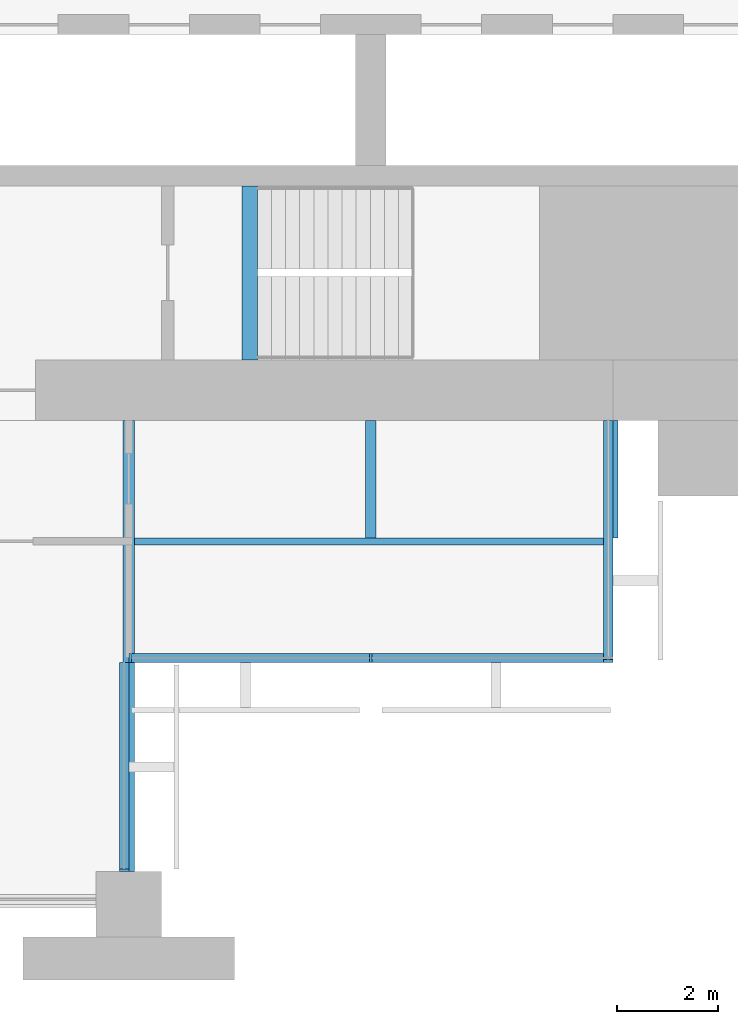
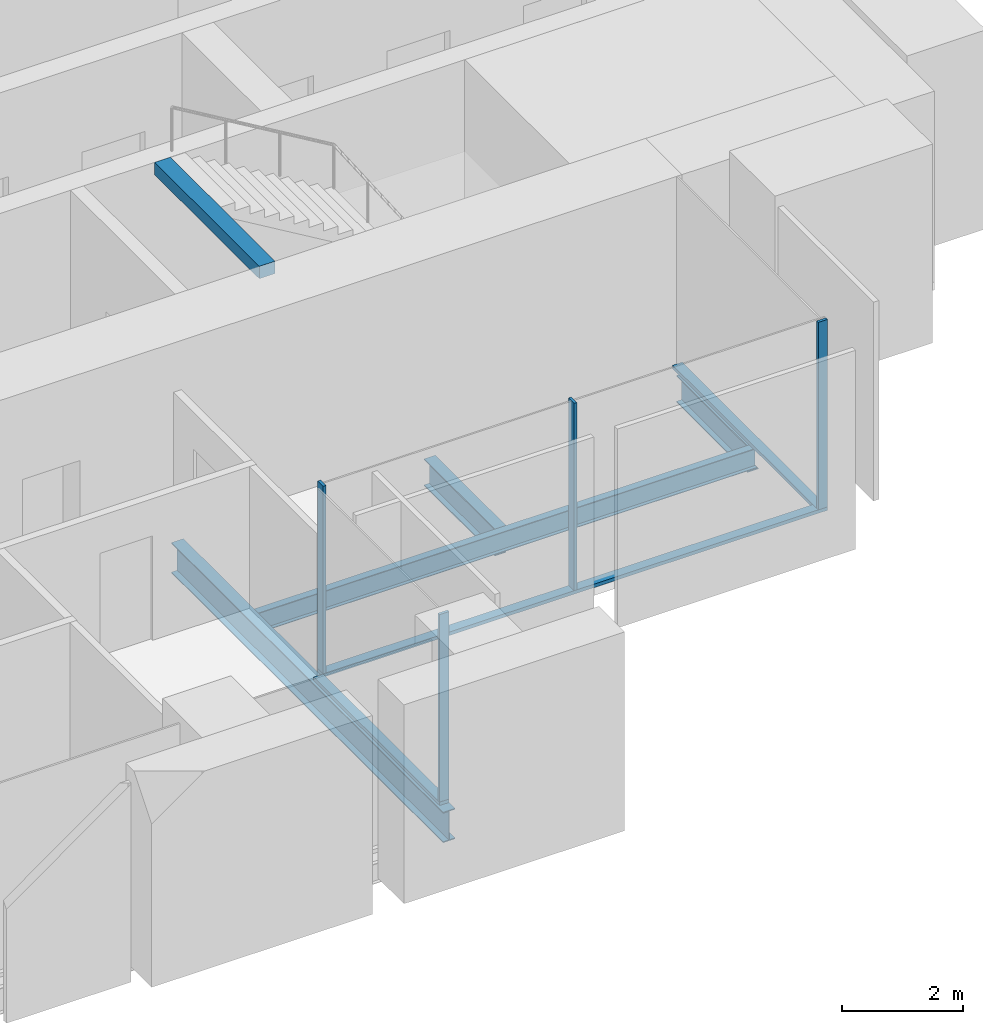
# One storey, part 4 of 14: 7 members, 5 beams, 3 elements without a shape of their own.
"""IFC4 building model written with IfcOpenShell, lengths in metres."""

from ifc_helpers import new_model, si_unit, direction, frame, origin, origin_2d, place, context, subcontext, project, spatial, rectangle, i_section, extrude, material, material_profile, profile_set, type_object, element, aggregate, save


model = new_model("IFC4")

# Units and contexts
model_context = context("Model", 3, precision=1e-05, world=origin(), true_north=direction((0.0, 1.0)))
body_context = subcontext(model_context, "Body", "Model", "MODEL_VIEW")
ifc_project = project(units=[si_unit("LENGTHUNIT", "METRE"), si_unit("AREAUNIT", "SQUARE_METRE"), si_unit("VOLUMEUNIT", "CUBIC_METRE"), si_unit("PLANEANGLEUNIT", "RADIAN"), si_unit("MASSUNIT", "GRAM", prefix="KILO")], contexts=[model_context])

# Site, building, storey
site_placement = place(None, origin())
site = spatial("IfcSite", under=ifc_project, at=site_placement, CompositionType="ELEMENT")
building_placement = place(site_placement, origin())
building = spatial("IfcBuilding", under=site, at=building_placement, Name="Baori Bourse Tower", CompositionType="ELEMENT")
storey_placement = place(building_placement, frame((0.0, 0.0, 67.0)))
storey = spatial("IfcBuildingStorey", under=building, at=storey_placement, Name="L14", CompositionType="ELEMENT", Elevation=67.0)

# Curtain wall, member
ifc_material_1 = material(Name="Pale anodised aluminium", Category="aluminium")
curtain_wall_type = type_object("IfcCurtainWallType", Name="CW2 Curtain wall", PredefinedType="NOTDEFINED", material=ifc_material_1)
curtain_wall_1_placement = place(storey_placement, origin())
curtain_wall_1 = element("IfcCurtainWall", 1, at=curtain_wall_1_placement, inside=storey, type_object=curtain_wall_type, Name="Curtain wall CW2 L14 12", PredefinedType="NOTDEFINED")
ifc_material_2 = material(Name="Pale anodised aluminium", Category="aluminium")
ifc_material_profile_1 = material_profile(ifc_material_2, rectangle(XDim=0.179931640625, YDim=0.054931640625, at=origin_2d()), Name="Mullion 55x180")
ifc_profile_set_1 = profile_set([ifc_material_profile_1], Name="Pale anodised aluminium")
member_type_1 = type_object("IfcMemberType", Name="CW2 Curtain wall mullion", PredefinedType="MULLION", material=ifc_profile_set_1)
member_1_placement = place(storey_placement, frame((43.110107421875, 0.677490234375, 0.070068359375), z_axis=(0.0, 0.0, 1.0), x_axis=(-1.0, 0.0, 0.0)))
member_1 = element("IfcMember", 2, at=member_1_placement, type_object=member_type_1, Name="Curtain wall CW2 mullion", PredefinedType="MULLION", context=body_context, shape_type="SweptSolid", body=[
    extrude(rectangle(XDim=0.179931640625, YDim=0.054931640625, at=origin_2d()), origin(), (0.0, 0.0, 1.0), 3.77001953125),
])

# Curtain wall, members
curtain_wall_2_placement = place(storey_placement, origin())
curtain_wall_2 = element("IfcCurtainWall", 3, at=curtain_wall_2_placement, inside=storey, type_object=curtain_wall_type, Name="Curtain wall CW2 L14 13", PredefinedType="NOTDEFINED")
member_2_placement = place(storey_placement, frame((43.2275390625, 4.889892578125, 0.070068359375), z_axis=(0.0, 0.0, 1.0), x_axis=(0.0, 1.0, 0.0)))
member_2 = element("IfcMember", 4, at=member_2_placement, type_object=member_type_1, Name="Curtain wall CW2 mullion", PredefinedType="MULLION", context=body_context, shape_type="SweptSolid", body=[
    extrude(rectangle(XDim=0.179931640625, YDim=0.054931640625, at=origin_2d()), origin(), (0.0, 0.0, 1.0), 3.77001953125),
])
member_3_placement = place(storey_placement, frame((48.0, 4.889892578125, 0.070068359375), z_axis=(0.0, 0.0, 1.0), x_axis=(0.0, 1.0, 0.0)))
member_3 = element("IfcMember", 5, at=member_3_placement, type_object=member_type_1, Name="Curtain wall CW2 mullion", PredefinedType="MULLION", context=body_context, shape_type="SweptSolid", body=[
    extrude(rectangle(XDim=0.179931640625, YDim=0.054931640625, at=origin_2d()), origin(), (0.0, 0.0, 1.0), 3.77001953125),
])

# Curtain wall, member
curtain_wall_3_placement = place(storey_placement, origin())
curtain_wall_3 = element("IfcCurtainWall", 6, at=curtain_wall_3_placement, inside=storey, type_object=curtain_wall_type, Name="Curtain wall CW2 L14 14", PredefinedType="NOTDEFINED")
member_4_placement = place(storey_placement, frame((52.7099609375, 4.827392578125, 0.070068359375), z_axis=(0.0, 0.0, 1.0), x_axis=(-1.0, 0.0, 0.0)))
member_4 = element("IfcMember", 7, at=member_4_placement, type_object=member_type_1, Name="Curtain wall CW2 mullion", PredefinedType="MULLION", context=body_context, shape_type="SweptSolid", body=[
    extrude(rectangle(XDim=0.179931640625, YDim=0.054931640625, at=origin_2d()), origin(), (0.0, 0.0, 1.0), 3.77001953125),
])

# Member
ifc_material_3 = material(Name="Pale anodised aluminium", Category="aluminium")
ifc_material_profile_2 = material_profile(ifc_material_3, rectangle(XDim=0.179931640625, YDim=0.070068359375, at=origin_2d()), Name="Transom 70x180")
ifc_profile_set_2 = profile_set([ifc_material_profile_2], Name="Pale anodised aluminium")
member_type_2 = type_object("IfcMemberType", Name="CW2 Curtain wall transom", PredefinedType="USERDEFINED", material=ifc_profile_set_2)
member_5_placement = place(storey_placement, frame((43.110107421875, 0.64990234375, 0.034912109375), z_axis=(0.0, 1.0, 0.0), x_axis=(-1.0, 0.0, 0.0)))
member_5 = element("IfcMember", 8, at=member_5_placement, type_object=member_type_2, Name="Curtain wall CW2 sill rail", ObjectType="TRANSOM", PredefinedType="USERDEFINED", context=body_context, shape_type="SweptSolid", body=[
    extrude(rectangle(XDim=0.179931640625, YDim=0.070068359375, at=origin_2d()), origin(), (0.0, 0.0, 1.0), 4.150146484375),
])

aggregate(curtain_wall_1, [member_5, member_1])

member_6_placement = place(storey_placement, frame((43.199951171875, 4.889892578125, 0.034912109375), z_axis=(1.0, 0.0, 0.0), x_axis=(0.0, 1.0, 0.0)))
member_6 = element("IfcMember", 9, at=member_6_placement, type_object=member_type_2, Name="Curtain wall CW2 sill rail", ObjectType="TRANSOM", PredefinedType="USERDEFINED", context=body_context, shape_type="SweptSolid", body=[
    extrude(rectangle(XDim=0.179931640625, YDim=0.070068359375, at=origin_2d()), origin(), (0.0, 0.0, 1.0), 9.60009765625),
])

aggregate(curtain_wall_2, [member_6, member_2, member_3])

member_7_placement = place(storey_placement, frame((52.7099609375, 4.800048828125, 0.034912109375), z_axis=(0.0, 1.0, 0.0), x_axis=(-1.0, 0.0, 0.0)))
member_7 = element("IfcMember", 10, at=member_7_placement, type_object=member_type_2, Name="Curtain wall CW2 sill rail", ObjectType="TRANSOM", PredefinedType="USERDEFINED", context=body_context, shape_type="SweptSolid", body=[
    extrude(rectangle(XDim=0.179931640625, YDim=0.070068359375, at=origin_2d()), origin(), (0.0, 0.0, 1.0), 4.800048828125),
])

aggregate(curtain_wall_3, [member_7, member_4])

# Beams
ifc_material_4 = material(Name="Steel A992 Gr 50", Category="steel")
ifc_material_profile_3 = material_profile(ifc_material_4, i_section(OverallWidth=0.21240234375, OverallDepth=0.54345703125, WebThickness=0.01318359375, FlangeThickness=0.021240234375, at=origin_2d()), Name="W21x83")
ifc_profile_set_3 = profile_set([ifc_material_profile_3], Name="Steel A992 Gr 50")
beam_type_1 = type_object("IfcBeamType", Name="Core bracket W21x83", PredefinedType="BEAM", material=ifc_profile_set_3)
for number, where, z_axis, x_axis, name in (
    (11, (48.0, 7.270263671875, -0.431884765625), (0.0, 1.0, 0.0), (-1.0, 0.0, 0.0), "Core bracket L14"),
    (12, (52.800048828125, 7.270263671875, -0.431884765625), (0.0, 1.0, 0.0), (-1.0, 0.0, 0.0), "Core bracket L14"),
):
    element("IfcBeam", number, at=place(storey_placement, frame(where, z_axis=z_axis, x_axis=x_axis)), inside=storey, type_object=beam_type_1, Name=name, PredefinedType="BEAM", context=body_context, shape_type="SweptSolid", body=[
        extrude(i_section(OverallWidth=0.21240234375, OverallDepth=0.54345703125, WebThickness=0.01318359375, FlangeThickness=0.021240234375, at=origin_2d()), origin(), (0.0, 0.0, 1.0), 2.329833984375),
    ])
ifc_material_5 = material(Name="Steel A992 Gr 50", Category="steel")
ifc_material_profile_4 = material_profile(ifc_material_5, i_section(OverallWidth=0.22900390625, OverallDepth=0.612060546875, WebThickness=0.011962890625, FlangeThickness=0.01953125, at=origin_2d()), Name="W24x84")
ifc_profile_set_4 = profile_set([ifc_material_profile_4], Name="Steel A992 Gr 50")
beam_type_2 = type_object("IfcBeamType", Name="Floor beam W24x84", PredefinedType="BEAM", material=ifc_profile_set_4)
beam_1_placement = place(storey_placement, frame((43.199951171875, 0.64990234375, -0.466064453125), z_axis=(0.0, 1.0, 0.0), x_axis=(-1.0, 0.0, 0.0)))
element("IfcBeam", 13, at=beam_1_placement, inside=storey, type_object=beam_type_2, Name="Floor beam L14", PredefinedType="BEAM", context=body_context, shape_type="SweptSolid", body=[
    extrude(i_section(OverallWidth=0.22900390625, OverallDepth=0.612060546875, WebThickness=0.011962890625, FlangeThickness=0.01953125, at=origin_2d()), origin(), (0.0, 0.0, 1.0), 8.9501953125),
])
ifc_material_6 = material(Name="Concrete f'c 50 MPa", Category="concrete")
ifc_material_profile_5 = material_profile(ifc_material_6, rectangle(XDim=0.300048828125, YDim=0.25, at=origin_2d()), Name="RC 300x250")
ifc_profile_set_5 = profile_set([ifc_material_profile_5], Name="Concrete f'c 50 MPa")
beam_type_3 = type_object("IfcBeamType", Name="Stair nib beam RC 300x250", PredefinedType="BEAM", material=ifc_profile_set_5)
beam_2_placement = place(storey_placement, frame((45.60009765625, 10.800048828125, 3.715087890625), z_axis=(0.0, 1.0, 0.0), x_axis=(-1.0, 0.0, 0.0)))
element("IfcBeam", 14, at=beam_2_placement, inside=storey, type_object=beam_type_3, Name="Stair EA nib beam L15", PredefinedType="BEAM", context=body_context, shape_type="SweptSolid", body=[
    extrude(rectangle(XDim=0.300048828125, YDim=0.25, at=origin_2d()), origin(), (0.0, 0.0, 1.0), 3.449951171875),
])
ifc_material_7 = material(Name="Steel A992 Gr 50", Category="steel")
ifc_material_profile_6 = material_profile(ifc_material_7, i_section(OverallWidth=0.140380859375, OverallDepth=0.40380859375, WebThickness=0.007080078125, FlangeThickness=0.01123046875, at=origin_2d()), Name="W16x31")
ifc_profile_set_6 = profile_set([ifc_material_profile_6], Name="Steel A992 Gr 50")
beam_type_4 = type_object("IfcBeamType", Name="Trimmer beam W16x31", PredefinedType="BEAM", material=ifc_profile_set_6)
beam_3_placement = place(storey_placement, frame((43.314453125, 7.199951171875, -0.36181640625), z_axis=(1.0, 0.0, 0.0), x_axis=(0.0, 1.0, 0.0)))
element("IfcBeam", 15, at=beam_3_placement, inside=storey, type_object=beam_type_4, Name="Trimmer beam L14", PredefinedType="BEAM", context=body_context, shape_type="SweptSolid", body=[
    extrude(i_section(OverallWidth=0.140380859375, OverallDepth=0.40380859375, WebThickness=0.007080078125, FlangeThickness=0.01123046875, at=origin_2d()), origin(), (0.0, 0.0, 1.0), 9.485595703125),
])

save(model, "model.ifc")
